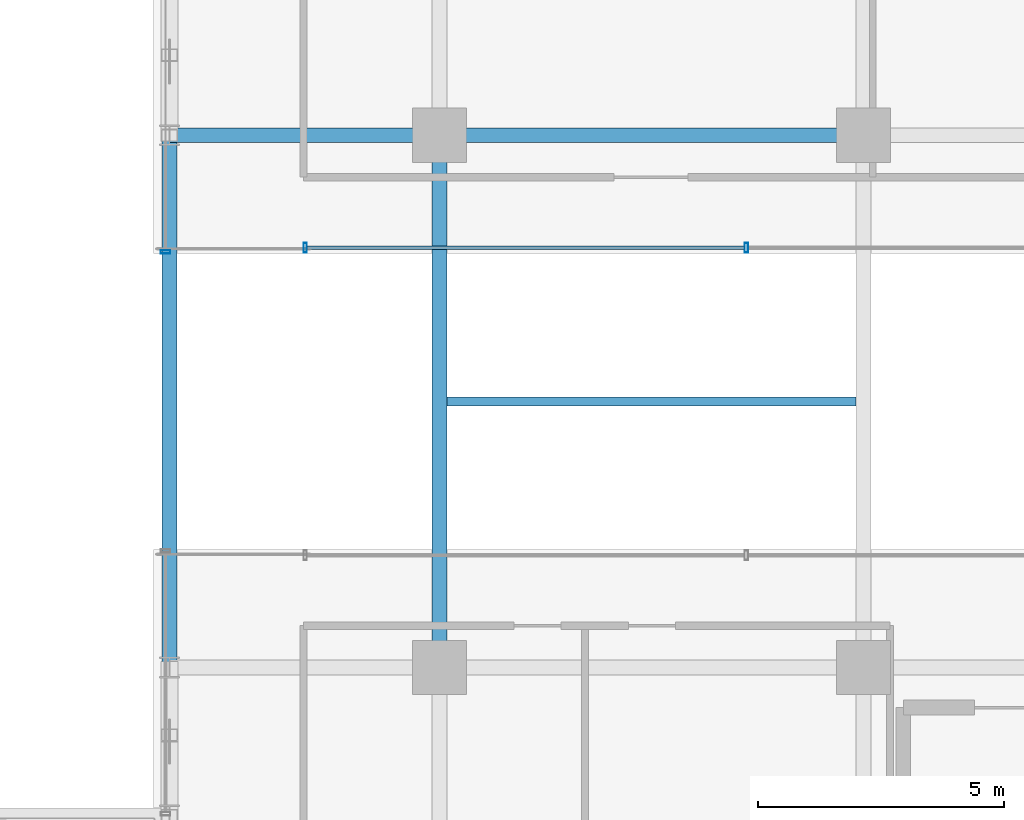
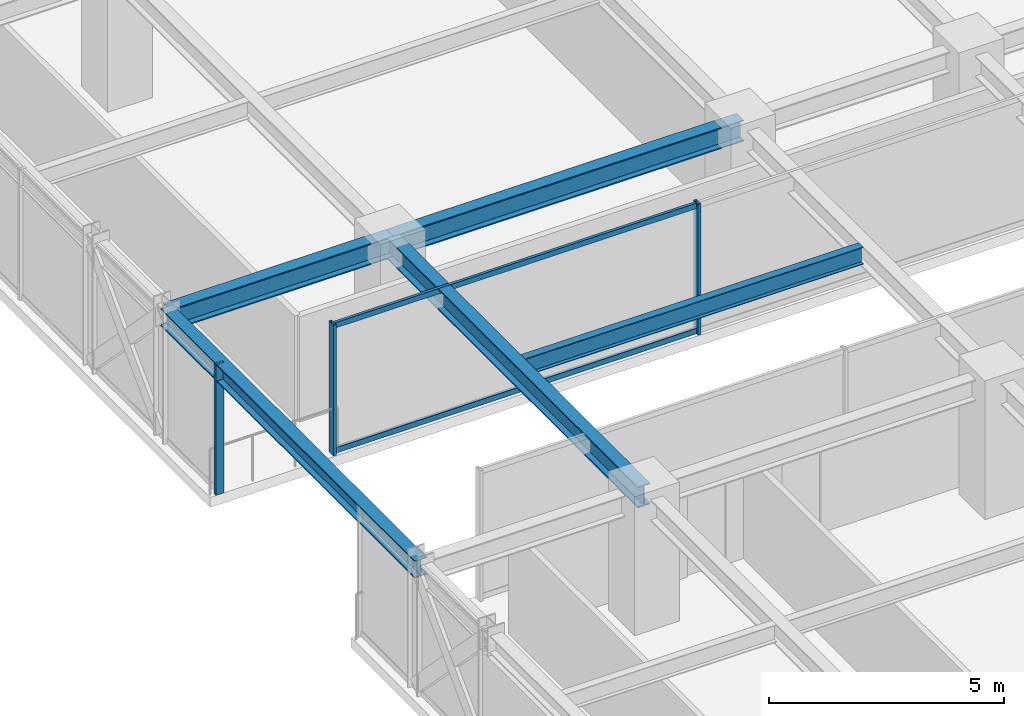
# One storey, part 8 of 35: 5 beams, 5 members, 2 elements without a shape of their own.
"""IFC4 building model written with IfcOpenShell, lengths in metres."""

from ifc_helpers import new_model, si_unit, direction, frame, origin, origin_2d, place, context, subcontext, project, spatial, hollow_rectangle, i_section, extrude, source, transform, mapped, material, material_profile, profile_set, type_object, element, aggregate, save


model = new_model("IFC4")

# Units and contexts
model_context = context("Model", 3, precision=1e-05, world=origin(), true_north=direction((0.0, 1.0)))
body_context = subcontext(model_context, "Body", "Model", "MODEL_VIEW")
ifc_project = project(units=[si_unit("LENGTHUNIT", "METRE"), si_unit("AREAUNIT", "SQUARE_METRE"), si_unit("VOLUMEUNIT", "CUBIC_METRE"), si_unit("PLANEANGLEUNIT", "RADIAN"), si_unit("MASSUNIT", "GRAM", prefix="KILO")], contexts=[model_context])

# Site, building, storey
site_placement = place(None, origin())
site = spatial("IfcSite", under=ifc_project, at=site_placement, CompositionType="ELEMENT")
building_placement = place(site_placement, origin())
building = spatial("IfcBuilding", under=site, at=building_placement, Name="Nahalor Promenade Grand Hotel", CompositionType="ELEMENT")
storey_placement = place(building_placement, frame((0.0, 0.0, 185.5)))
storey = spatial("IfcBuildingStorey", under=building, at=storey_placement, Name="L47", CompositionType="ELEMENT", Elevation=185.5)

# Beams
ifc_material_1 = material(Name="Steel S355JR", Category="steel")
ifc_material_profile_1 = material_profile(ifc_material_1, i_section(OverallWidth=0.3, OverallDepth=0.55, WebThickness=0.015, FlangeThickness=0.029, at=origin_2d()), Name="HEB 550")
ifc_profile_set_1 = profile_set([ifc_material_profile_1], Name="Steel S355JR")
beam_type_1 = type_object("IfcBeamType", Name="Beam-Girder-HEB550", PredefinedType="BEAM", material=ifc_profile_set_1)
shared_shape_1 = source(origin(), body_context, "Body", "SweptSolid", [
    extrude(i_section(OverallWidth=0.3, OverallDepth=0.55, WebThickness=0.015, FlangeThickness=0.029, at=origin_2d()), origin(), (0.0, 0.0, 1.0), 8.60009765625),
])
beam_1_placement = place(storey_placement, frame((-17.0, 5.39990234375, 3.114990234375), z_axis=(1.0, 0.0, 0.0), x_axis=(0.0, 1.0, 0.0)))
element("IfcBeam", 1, at=beam_1_placement, inside=storey, type_object=beam_type_1, Name="BM-L47-GX-2-1", PredefinedType="BEAM", context=body_context, shape_type="MappedRepresentation", body=[
    mapped(shared_shape_1, transform((0.0, 0.0, 0.0), scale=1.0)),
])
shared_shape_2 = source(origin(), body_context, "Body", "SweptSolid", [
    extrude(i_section(OverallWidth=0.3, OverallDepth=0.55, WebThickness=0.015, FlangeThickness=0.029, at=origin_2d()), origin(), (0.0, 0.0, 1.0), 10.7998046875),
])
beam_2_placement = place(storey_placement, frame((-17.0, -5.39990234375, 3.114990234375), z_axis=(0.0, 1.0, 0.0), x_axis=(-1.0, 0.0, 0.0)))
element("IfcBeam", 2, at=beam_2_placement, inside=storey, type_object=beam_type_1, Name="BM-L47-GY-0-2", PredefinedType="BEAM", context=body_context, shape_type="MappedRepresentation", body=[
    mapped(shared_shape_2, transform((0.0, 0.0, 0.0), scale=1.0)),
])
ifc_material_profile_2 = material_profile(ifc_material_1, i_section(OverallWidth=0.19, OverallDepth=0.45, WebThickness=0.0094, FlangeThickness=0.0146, at=origin_2d()), Name="IPE 450")
ifc_profile_set_2 = profile_set([ifc_material_profile_2], Name="Steel S355JR")
beam_type_2 = type_object("IfcBeamType", Name="Beam-Joist-IPE450", PredefinedType="JOIST", material=ifc_profile_set_2)
shared_shape_3 = source(origin(), body_context, "Body", "SweptSolid", [
    extrude(i_section(OverallWidth=0.19, OverallDepth=0.45, WebThickness=0.0094, FlangeThickness=0.0146, at=origin_2d()), origin(), (0.0, 0.0, 1.0), 8.300048828125),
])
beam_3_placement = place(storey_placement, frame((-16.85009765625, 0.0, 3.1650390625), z_axis=(1.0, 0.0, 0.0), x_axis=(0.0, 1.0, 0.0)))
element("IfcBeam", 3, at=beam_3_placement, inside=storey, type_object=beam_type_2, Name="BM-L47-JSC-0", PredefinedType="JOIST", context=body_context, shape_type="MappedRepresentation", body=[
    mapped(shared_shape_3, transform((0.0, 0.0, 0.0), scale=1.0)),
])
shared_shape_4 = source(origin(), body_context, "Body", "SweptSolid", [
    extrude(i_section(OverallWidth=0.3, OverallDepth=0.55, WebThickness=0.015, FlangeThickness=0.029, at=origin_2d()), origin(), (0.0, 0.0, 1.0), 5.47998046875),
])
beam_4_placement = place(storey_placement, frame((-22.47998046875, 5.39990234375, 3.114990234375), z_axis=(1.0, 0.0, 0.0), x_axis=(0.0, 1.0, 0.0)))
element("IfcBeam", 4, at=beam_4_placement, inside=storey, type_object=beam_type_1, Name="BM-L47-GX-2-0", PredefinedType="BEAM", context=body_context, shape_type="MappedRepresentation", body=[
    mapped(shared_shape_4, transform((0.0, 0.0, 0.0), scale=1.0)),
])
ifc_material_profile_3 = material_profile(ifc_material_1, i_section(OverallWidth=0.3, OverallDepth=0.45, WebThickness=0.014, FlangeThickness=0.026, at=origin_2d()), Name="HEB 450")
ifc_profile_set_3 = profile_set([ifc_material_profile_3], Name="Steel S355JR")
beam_type_3 = type_object("IfcBeamType", Name="Beam-Spandrel-HEB450", PredefinedType="SPANDREL", material=ifc_profile_set_3)
shared_shape_5 = source(origin(), body_context, "Body", "SweptSolid", [
    extrude(i_section(OverallWidth=0.3, OverallDepth=0.45, WebThickness=0.014, FlangeThickness=0.026, at=origin_2d()), origin(), (0.0, 0.0, 1.0), 10.7998046875),
])
beam_5_placement = place(storey_placement, frame((-22.47998046875, -5.39990234375, 3.1650390625), z_axis=(0.0, 1.0, 0.0), x_axis=(-1.0, 0.0, 0.0)))
element("IfcBeam", 5, at=beam_5_placement, inside=storey, type_object=beam_type_3, Name="BM-L47-SP-W-2", PredefinedType="SPANDREL", context=body_context, shape_type="MappedRepresentation", body=[
    mapped(shared_shape_5, transform((0.0, 0.0, 0.0), scale=1.0)),
])

# Curtain wall, members
ifc_material_2 = material(Name="Anodised Bronze Aluminium EN AW-6063 T6", Category="aluminium")
curtain_wall_type = type_object("IfcCurtainWallType", Name="CW3 Elliptical-Void Collar Unitised Curtain Wall", PredefinedType="USERDEFINED", material=ifc_material_2)
curtain_wall_1_placement = place(storey_placement, origin())
curtain_wall_1 = element("IfcCurtainWall", 6, at=curtain_wall_1_placement, inside=storey, type_object=curtain_wall_type, Name="L47 Curtain Wall CW-L47-VOID-WN1", ObjectType="UNITISED_CURTAIN_WALL", PredefinedType="USERDEFINED")
ifc_material_profile_4 = material_profile(ifc_material_2, hollow_rectangle(XDim=0.07, YDim=0.14, WallThickness=0.004, at=origin_2d()), Name="CWT 70x140x4")
ifc_profile_set_4 = profile_set([ifc_material_profile_4], Name="Anodised Bronze Aluminium EN AW-6063 T6")
member_type_1 = type_object("IfcMemberType", Name="CWT3 Void Collar Transom 70x140", PredefinedType="USERDEFINED", material=ifc_profile_set_4)
shared_shape_6 = source(origin(), body_context, "Body", "SweptSolid", [
    extrude(hollow_rectangle(XDim=0.07, YDim=0.14, WallThickness=0.004, at=origin_2d()), origin(), (0.0, 0.0, 1.0), 8.881591796875),
])
member_1_placement = place(storey_placement, frame((-19.68994140625, 3.118896484375, 0.070068359375), z_axis=(1.0, 0.0, 0.0), x_axis=(0.0, 1.0, 0.0)))
member_1 = element("IfcMember", 7, at=member_1_placement, type_object=member_type_1, Name="CW-L47-VOID-WN1 Transom 0-0", ObjectType="TRANSOM", PredefinedType="USERDEFINED", context=body_context, shape_type="MappedRepresentation", body=[
    mapped(shared_shape_6, transform((0.0, 0.0, 0.0), scale=1.0)),
])
member_2_placement = place(storey_placement, frame((-19.68994140625, 3.118896484375, 3.320068359375), z_axis=(1.0, 0.0, 0.0), x_axis=(0.0, 1.0, 0.0)))
member_2 = element("IfcMember", 8, at=member_2_placement, type_object=member_type_1, Name="CW-L47-VOID-WN1 Transom 0-1", ObjectType="TRANSOM", PredefinedType="USERDEFINED", context=body_context, shape_type="MappedRepresentation", body=[
    mapped(shared_shape_6, transform((0.0, 0.0, 0.0), scale=1.0)),
])

# Curtain wall, member
curtain_wall_2_placement = place(storey_placement, origin())
curtain_wall_2 = element("IfcCurtainWall", 9, at=curtain_wall_2_placement, inside=storey, type_object=curtain_wall_type, Name="L47 Curtain Wall CW-L47-W-4", ObjectType="UNITISED_CURTAIN_WALL", PredefinedType="USERDEFINED")
ifc_material_profile_5 = material_profile(ifc_material_2, hollow_rectangle(XDim=0.07, YDim=0.2, WallThickness=0.005, at=origin_2d()), Name="CWM 70x200x5")
ifc_profile_set_5 = profile_set([ifc_material_profile_5], Name="Anodised Bronze Aluminium EN AW-6063 T6")
member_type_2 = type_object("IfcMemberType", Name="CWM3 Void Collar Mullion 70x200", PredefinedType="MULLION", material=ifc_profile_set_5)
shared_shape_7 = source(origin(), body_context, "Body", "SweptSolid", [
    extrude(hollow_rectangle(XDim=0.07, YDim=0.2, WallThickness=0.005, at=origin_2d()), origin(), (0.0, 0.0, 1.0), 3.389892578125),
])
member_3_placement = place(storey_placement, frame((-22.56005859375, 3.033935546875, 0.0), z_axis=(0.0, 0.0, 1.0), x_axis=(0.0, 1.0, 0.0)))
member_3 = element("IfcMember", 10, at=member_3_placement, type_object=member_type_2, Name="CW-L47-W-4 Mullion 0", PredefinedType="MULLION", context=body_context, shape_type="MappedRepresentation", body=[
    mapped(shared_shape_7, transform((0.0, 0.0, 0.0), scale=1.0)),
])
aggregate(curtain_wall_2, [member_3])

# Member
member_4_placement = place(storey_placement, frame((-19.72509765625, 3.118896484375, 0.0), z_axis=(0.0, 0.0, 1.0), x_axis=(1.0, 0.0, 0.0)))
member_4 = element("IfcMember", 11, at=member_4_placement, type_object=member_type_2, Name="CW-L47-VOID-WN1 Mullion 0", PredefinedType="MULLION", context=body_context, shape_type="MappedRepresentation", body=[
    mapped(shared_shape_7, transform((0.0, 0.0, 0.0), scale=1.0)),
])

member_5_placement = place(storey_placement, frame((-10.7734375, 3.118896484375, 0.0), z_axis=(0.0, 0.0, 1.0), x_axis=(1.0, 0.0, 0.0)))
member_5 = element("IfcMember", 12, at=member_5_placement, type_object=member_type_2, Name="CW-L47-VOID-WN1 Mullion 1", PredefinedType="MULLION", context=body_context, shape_type="MappedRepresentation", body=[
    mapped(shared_shape_7, transform((0.0, 0.0, 0.0), scale=1.0)),
])

aggregate(curtain_wall_1, [member_4, member_5, member_1, member_2])

save(model, "model.ifc")
